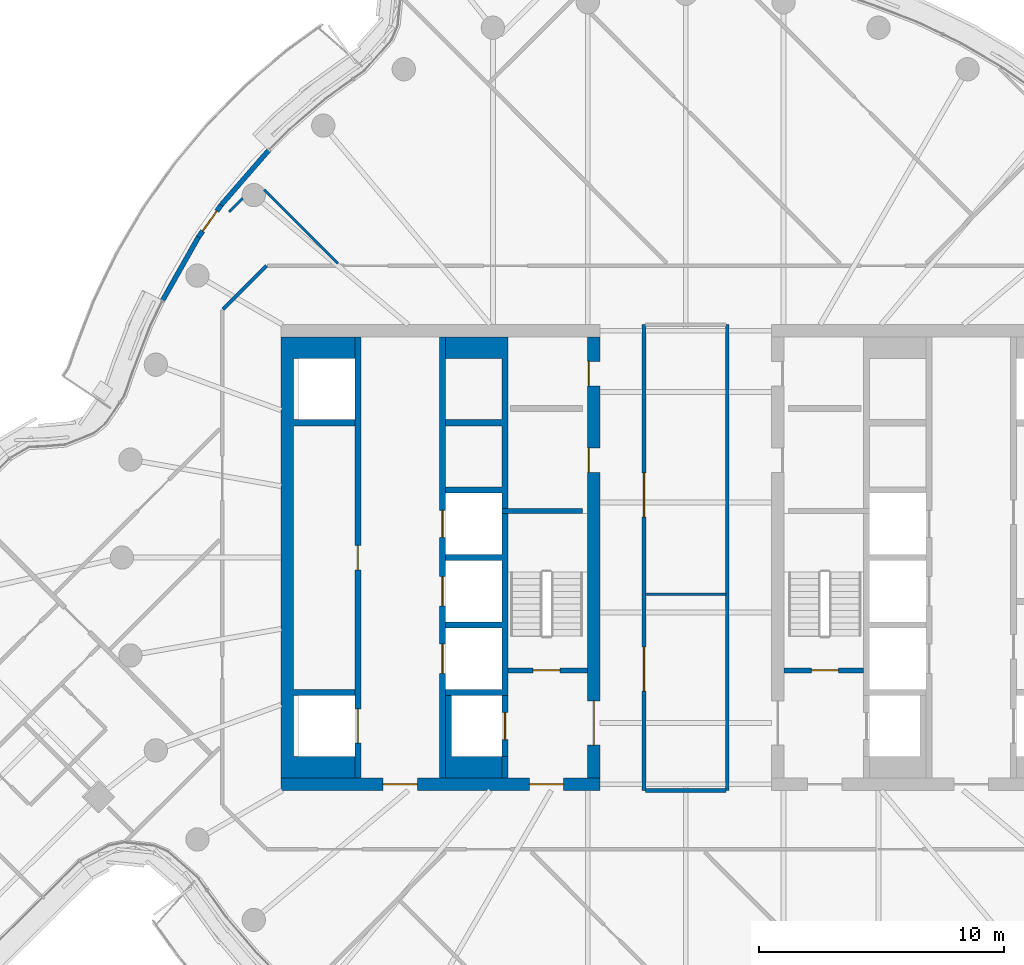
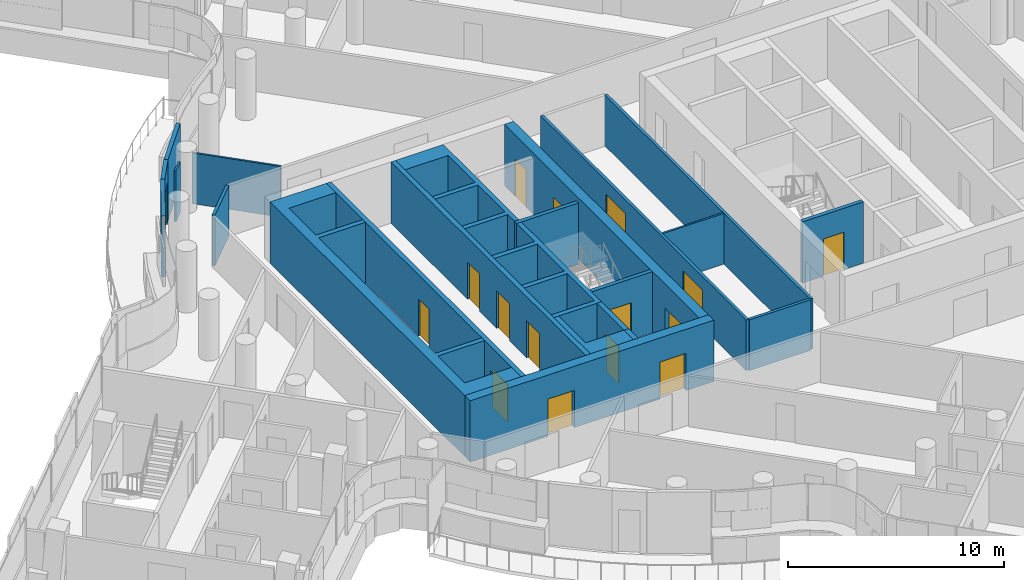
# One storey, part 20 of 31: 22 walls, 16 doors, 16 openings.
"""IFC4 building model written with IfcOpenShell, lengths in metres."""

from ifc_helpers import new_model, si_unit, direction, frame, frame_2d, origin, place, context, subcontext, project, spatial, polyline, rectangle, outline, extrude, material, layer, layer_set, type_object, element, fill, save


model = new_model("IFC4")

# Units and contexts
model_context = context("Model", 3, precision=1e-05, world=origin(), true_north=direction((0.0, 1.0)))
body_context = subcontext(model_context, "Body", "Model", "MODEL_VIEW")
ifc_project = project(units=[si_unit("LENGTHUNIT", "METRE"), si_unit("AREAUNIT", "SQUARE_METRE"), si_unit("VOLUMEUNIT", "CUBIC_METRE"), si_unit("PLANEANGLEUNIT", "RADIAN"), si_unit("MASSUNIT", "GRAM", prefix="KILO")], contexts=[model_context])

# Site, building, storey
site_placement = place(None, origin())
site = spatial("IfcSite", under=ifc_project, at=site_placement, CompositionType="ELEMENT")
building_placement = place(site_placement, origin())
building = spatial("IfcBuilding", under=site, at=building_placement, Name="Tamarind Cross Interchange Tower", CompositionType="ELEMENT")
storey_placement = place(building_placement, frame((0.0, 0.0, 196.89990234375)))
storey = spatial("IfcBuildingStorey", under=building, at=storey_placement, Name="L49", CompositionType="ELEMENT", Elevation=196.89990234375)

# Walls
ifc_material_1 = material(Name="Concrete C40", Category="concrete")
ifc_layer_1 = layer(ifc_material_1, 0.199951171875)
ifc_layer_set_1 = layer_set([ifc_layer_1], Name="Concrete C40")
wall_type_1 = type_object("IfcWallType", Name="Balcony and garden door wall", PredefinedType="SOLIDWALL", material=ifc_layer_set_1)
wall_1_placement = place(storey_placement, frame((-17.010986328125, 16.611083984375, 0.0), z_axis=(0.0, 0.0, 1.0), x_axis=(-0.65596013701, -0.754795534336, 0.0)))
element("IfcWall", 1, at=wall_1_placement, inside=storey, type_object=wall_type_1, Name="EXW-L49-06-D02L", PredefinedType="SOLIDWALL", context=body_context, shape_type="SweptSolid", body=[
    extrude(rectangle(XDim=2.959228515625, YDim=0.199951171875, at=frame_2d((1.4794921875, 0.0))), origin(), (0.0, 0.0, 1.0), 3.460205078125),
])
wall_2_placement = place(storey_placement, frame((-19.876220703125, 13.0712890625, 0.0), z_axis=(0.0, 0.0, 1.0), x_axis=(-0.492589967899, -0.870261525936, 0.0)))
element("IfcWall", 2, at=wall_2_placement, inside=storey, type_object=wall_type_1, Name="EXW-L49-06-D02R", PredefinedType="SOLIDWALL", context=body_context, shape_type="SweptSolid", body=[
    extrude(rectangle(XDim=2.95947265625, YDim=0.199951171875, at=frame_2d((1.479736328125, 0.0))), origin(), (0.0, 0.0, 1.0), 3.460205078125),
])

# Wall, opening, door
wall_3_placement = place(storey_placement, frame((-18.9521484375, 14.37744140625, 0.0), z_axis=(0.0, 0.0, 1.0), x_axis=(-0.57755153974, -0.816354223939, 0.0)))
wall_3 = element("IfcWall", 3, at=wall_3_placement, inside=storey, type_object=wall_type_1, Name="EXW-L49-06-D02", PredefinedType="SOLIDWALL", context=body_context, shape_type="SweptSolid", body=[
    extrude(rectangle(XDim=1.60009765625, YDim=0.199951171875, at=frame_2d((0.800048828125, 0.0))), origin(), (0.0, 0.0, 1.0), 3.460205078125),
])
opening_1_placement = place(wall_3_placement, frame((0.300048828125, 0.0, 0.0)))
opening_1 = element("IfcOpeningElement", 4, at=opening_1_placement, cuts=wall_3, Name="Opening D2", PredefinedType="OPENING", context=body_context, shape_type="SweptSolid", body=[
    extrude(rectangle(XDim=1.0, YDim=2.39990234375, at=frame_2d((0.5, 1.199951171875))), frame((0.0, 0.10986328125, 0.0), z_axis=(0.0, -1.0, 0.0), x_axis=(1.0, 0.0, 0.0)), (0.0, 0.0, 1.0), 0.219970703125),
])
ifc_material_2 = material(Name="Aluminium and toughened glass", Category="aluminium")
door_type_1 = type_object("IfcDoorType", Name="Balcony and garden door", OperationType="SINGLE_SWING_LEFT", PredefinedType="DOOR", material=ifc_material_2)
door_1_placement = place(opening_1_placement, origin())
door_1 = element("IfcDoor", 5, at=door_1_placement, inside=storey, type_object=door_type_1, Name="DOR-L49-06-02", OperationType="SINGLE_SWING_LEFT", OverallHeight=2.39990234375, OverallWidth=1.0, PredefinedType="DOOR", context=body_context, shape_type="SweptSolid", body=[
    extrude(rectangle(XDim=1.0, YDim=2.39990234375, at=frame_2d((0.5, 1.199951171875))), frame((0.0, 0.02490234375, 0.0), z_axis=(0.0, -1.0, 0.0), x_axis=(1.0, 0.0, 0.0)), (0.0, 0.0, 1.0), 0.050048828125),
])
fill(opening_1, door_1)

# Wall, openings, doors
ifc_material_3 = material(Name="Concrete C55", Category="concrete")
ifc_layer_2 = layer(ifc_material_3, 0.5)
ifc_layer_set_2 = layer_set([ifc_layer_2], Name="Concrete C55")
wall_type_2 = type_object("IfcWallType", Name="Core wall 500 mm Concrete C55", PredefinedType="SHEAR", material=ifc_layer_set_2)
wall_4_placement = place(storey_placement, frame((-16.5, -9.25, 0.0), z_axis=(0.0, 0.0, 1.0), x_axis=(1.0, 0.0, 0.0)))
wall_4 = element("IfcWall", 6, at=wall_4_placement, inside=storey, type_object=wall_type_2, Name="Core wall CWL-L49-W-S", PredefinedType="SHEAR", context=body_context, shape_type="SweptSolid", body=[
    extrude(rectangle(XDim=13.0, YDim=0.5, at=frame_2d((6.5, 0.0))), origin(), (0.0, 0.0, 1.0), 3.460205078125),
])
opening_2_placement = place(wall_4_placement, frame((4.14990234375, 0.0, 0.0)))
opening_2 = element("IfcOpeningElement", 7, at=opening_2_placement, cuts=wall_4, Name="Opening DCW1", PredefinedType="OPENING", context=body_context, shape_type="SweptSolid", body=[
    extrude(rectangle(XDim=1.39990234375, YDim=2.10009765625, at=frame_2d((0.699951171875, 1.050048828125))), frame((0.0, 0.260009765625, 0.0), z_axis=(0.0, -1.0, 0.0), x_axis=(1.0, 0.0, 0.0)), (0.0, 0.0, 1.0), 0.52001953125),
])
opening_3_placement = place(wall_4_placement, frame((10.125, 0.0, 0.0)))
opening_3 = element("IfcOpeningElement", 8, at=opening_3_placement, cuts=wall_4, Name="Opening DCWF", PredefinedType="OPENING", context=body_context, shape_type="SweptSolid", body=[
    extrude(rectangle(XDim=1.39990234375, YDim=2.10009765625, at=frame_2d((0.699951171875, 1.050048828125))), frame((0.0, 0.260009765625, 0.0), z_axis=(0.0, -1.0, 0.0), x_axis=(1.0, 0.0, 0.0)), (0.0, 0.0, 1.0), 0.52001953125),
])
ifc_material_4 = material(Name="Steel, fire-resisting", Category="steel")
door_type_2 = type_object("IfcDoorType", Name="Core fire door 1400 x 2100 FD90", OperationType="SINGLE_SWING_LEFT", PredefinedType="DOOR", material=ifc_material_4)
door_2_placement = place(opening_2_placement, origin())
door_2 = element("IfcDoor", 9, at=door_2_placement, inside=storey, type_object=door_type_2, Name="L49 lift lobby door", OperationType="SINGLE_SWING_LEFT", OverallHeight=2.10009765625, OverallWidth=1.39990234375, PredefinedType="DOOR", context=body_context, shape_type="SweptSolid", body=[
    extrude(rectangle(XDim=1.39990234375, YDim=2.10009765625, at=frame_2d((0.699951171875, 1.050048828125))), frame((0.0, 0.02490234375, 0.0), z_axis=(0.0, -1.0, 0.0), x_axis=(1.0, 0.0, 0.0)), (0.0, 0.0, 1.0), 0.050048828125),
])
fill(opening_2, door_2)
door_3_placement = place(opening_3_placement, origin())
door_3 = element("IfcDoor", 10, at=door_3_placement, inside=storey, type_object=door_type_2, Name="L49 firefighting lobby end door", OperationType="SINGLE_SWING_LEFT", OverallHeight=2.10009765625, OverallWidth=1.39990234375, PredefinedType="DOOR", context=body_context, shape_type="SweptSolid", body=[
    extrude(rectangle(XDim=1.39990234375, YDim=2.10009765625, at=frame_2d((0.699951171875, 1.050048828125))), frame((0.0, 0.02490234375, 0.0), z_axis=(0.0, -1.0, 0.0), x_axis=(1.0, 0.0, 0.0)), (0.0, 0.0, 1.0), 0.050048828125),
])
fill(opening_3, door_3)

# Wall
wall_5_placement = place(storey_placement, origin())
element("IfcWall", 11, at=wall_5_placement, inside=storey, type_object=wall_type_2, Name="Core wall CWL-L49-W-A", PredefinedType="SHEAR", context=body_context, shape_type="SweptSolid", body=[
    extrude(outline(polyline([(-13.5, -8.125), (-16.0, -8.125), (-16.0, -5.625), (-13.5, -5.625), (-13.5, -5.375), (-16.0, -5.375), (-16.0, 5.375), (-13.5, 5.375), (-13.5, 5.625), (-16.0, 5.625), (-16.0, 8.125), (-13.5, 8.125), (-13.5, 9.0), (-16.0, 9.0), (-16.5, 9.0), (-16.5, -9.0), (-16.0, -9.0), (-13.5, -9.0), (-13.5, -8.125)])), origin(), (0.0, 0.0, 1.0), 3.460205078125),
])

# Wall, openings, doors
wall_6_placement = place(storey_placement, frame((-3.75, -9.0, 0.0), z_axis=(0.0, 0.0, 1.0), x_axis=(0.0, 1.0, 0.0)))
wall_6 = element("IfcWall", 12, at=wall_6_placement, inside=storey, type_object=wall_type_2, Name="Core wall CWL-L49-W-IN", PredefinedType="SHEAR", context=body_context, shape_type="SweptSolid", body=[
    extrude(rectangle(XDim=18.0, YDim=0.5, at=frame_2d((9.0, 0.0))), origin(), (0.0, 0.0, 1.0), 3.460205078125),
])
opening_4_placement = place(wall_6_placement, frame((1.35009765625, 0.0, 0.0)))
opening_4 = element("IfcOpeningElement", 13, at=opening_4_placement, cuts=wall_6, Name="Opening DCW4", PredefinedType="OPENING", context=body_context, shape_type="SweptSolid", body=[
    extrude(rectangle(XDim=1.800048828125, YDim=2.10009765625, at=frame_2d((0.89990234375, 1.050048828125))), frame((0.0, 0.260009765625, 0.0), z_axis=(0.0, -1.0, 0.0), x_axis=(1.0, 0.0, 0.0)), (0.0, 0.0, 1.0), 0.52001953125),
])
opening_5_placement = place(wall_6_placement, frame((12.4775390625, 0.0, 0.0)))
opening_5 = element("IfcOpeningElement", 14, at=opening_5_placement, cuts=wall_6, Name="Opening DCW5", PredefinedType="OPENING", context=body_context, shape_type="SweptSolid", body=[
    extrude(rectangle(XDim=1.0, YDim=2.10009765625, at=frame_2d((0.5, 1.050048828125))), frame((0.0, 0.260009765625, 0.0), z_axis=(0.0, -1.0, 0.0), x_axis=(1.0, 0.0, 0.0)), (0.0, 0.0, 1.0), 0.52001953125),
])
opening_6_placement = place(wall_6_placement, frame((16.00244140625, 0.0, 0.0)))
opening_6 = element("IfcOpeningElement", 15, at=opening_6_placement, cuts=wall_6, Name="Opening DCW5", PredefinedType="OPENING", context=body_context, shape_type="SweptSolid", body=[
    extrude(rectangle(XDim=1.0, YDim=2.10009765625, at=frame_2d((0.5, 1.050048828125))), frame((0.0, 0.260009765625, 0.0), z_axis=(0.0, -1.0, 0.0), x_axis=(1.0, 0.0, 0.0)), (0.0, 0.0, 1.0), 0.52001953125),
])
door_type_3 = type_object("IfcDoorType", Name="Core fire door 1000 x 2100 FD90", OperationType="SINGLE_SWING_LEFT", PredefinedType="DOOR", material=ifc_material_4)
door_4_placement = place(opening_5_placement, origin())
door_4 = element("IfcDoor", 16, at=door_4_placement, inside=storey, type_object=door_type_3, Name="L49 housekeeping pantry door", OperationType="SINGLE_SWING_LEFT", OverallHeight=2.10009765625, OverallWidth=1.0, PredefinedType="DOOR", context=body_context, shape_type="SweptSolid", body=[
    extrude(rectangle(XDim=1.0, YDim=2.10009765625, at=frame_2d((0.5, 1.050048828125))), frame((0.0, 0.22509765625, 0.0), z_axis=(0.0, -1.0, 0.0), x_axis=(1.0, 0.0, 0.0)), (0.0, 0.0, 1.0), 0.050048828125),
])
fill(opening_5, door_4)
door_5_placement = place(opening_6_placement, origin())
door_5 = element("IfcDoor", 17, at=door_5_placement, inside=storey, type_object=door_type_3, Name="L49 linen press door", OperationType="SINGLE_SWING_LEFT", OverallHeight=2.10009765625, OverallWidth=1.0, PredefinedType="DOOR", context=body_context, shape_type="SweptSolid", body=[
    extrude(rectangle(XDim=1.0, YDim=2.10009765625, at=frame_2d((0.5, 1.050048828125))), frame((0.0, 0.22509765625, 0.0), z_axis=(0.0, -1.0, 0.0), x_axis=(1.0, 0.0, 0.0)), (0.0, 0.0, 1.0), 0.050048828125),
])
fill(opening_6, door_5)
door_type_4 = type_object("IfcDoorType", Name="Core fire door 1800 x 2100 FD90", OperationType="SINGLE_SWING_LEFT", PredefinedType="DOOR", material=ifc_material_4)
door_6_placement = place(opening_4_placement, origin())
door_6 = element("IfcDoor", 18, at=door_6_placement, inside=storey, type_object=door_type_4, Name="L49 firefighting lobby door", OperationType="SINGLE_SWING_LEFT", OverallHeight=2.10009765625, OverallWidth=1.800048828125, PredefinedType="DOOR", context=body_context, shape_type="SweptSolid", body=[
    extrude(rectangle(XDim=1.800048828125, YDim=2.10009765625, at=frame_2d((0.89990234375, 1.050048828125))), frame((0.0, 0.02490234375, 0.0), z_axis=(0.0, -1.0, 0.0), x_axis=(1.0, 0.0, 0.0)), (0.0, 0.0, 1.0), 0.050048828125),
])
fill(opening_4, door_6)

# Walls
ifc_layer_3 = layer(ifc_material_3, 0.199951171875)
ifc_layer_set_3 = layer_set([ifc_layer_3], Name="Concrete C55")
wall_type_3 = type_object("IfcWallType", Name="Core web wall 200 mm Concrete C55", PredefinedType="SHEAR", material=ifc_layer_set_3)
wall_7_placement = place(storey_placement, frame((-7.5, 1.89990234375, 0.0), z_axis=(0.0, 0.0, 1.0), x_axis=(1.0, 0.0, 0.0)))
element("IfcWall", 19, at=wall_7_placement, inside=storey, type_object=wall_type_3, Name="Core wall CWL-L49-W-BD", PredefinedType="SHEAR", context=body_context, shape_type="SweptSolid", body=[
    extrude(rectangle(XDim=3.300048828125, YDim=0.199951171875, at=frame_2d((1.64990234375, 0.0))), origin(), (0.0, 0.0, 1.0), 3.460205078125),
])
ifc_layer_4 = layer(ifc_material_3, 0.25)
ifc_layer_set_4 = layer_set([ifc_layer_4], Name="Concrete C55")
wall_type_4 = type_object("IfcWallType", Name="Core web wall 250 mm Concrete C55", PredefinedType="SHEAR", material=ifc_layer_set_4)
wall_8_placement = place(storey_placement, origin())
element("IfcWall", 20, at=wall_8_placement, inside=storey, type_object=wall_type_4, Name="Core wall CWL-L49-W-BN", PredefinedType="SHEAR", context=body_context, shape_type="SweptSolid", body=[
    extrude(outline(polyline([(-9.800048828125, -5.375), (-9.800048828125, -5.625), (-7.5, -5.625), (-7.25, -5.625), (-7.25, 9.0), (-7.5, 9.0), (-9.800048828125, 9.0), (-9.800048828125, 8.125), (-7.5, 8.125), (-7.5, 5.625), (-9.800048828125, 5.625), (-9.800048828125, 5.375), (-7.5, 5.375), (-7.5, 2.875), (-9.800048828125, 2.875), (-9.800048828125, 2.625), (-7.5, 2.625), (-7.5, 0.125), (-9.800048828125, 0.125), (-9.800048828125, -0.125), (-7.5, -0.125), (-7.5, -2.625), (-9.800048828125, -2.625), (-9.800048828125, -2.875), (-7.5, -2.875), (-7.5, -5.375), (-9.800048828125, -5.375)])), origin(), (0.0, 0.0, 1.0), 3.460205078125),
])
wall_9_placement = place(storey_placement, origin())
element("IfcWall", 21, at=wall_9_placement, inside=storey, type_object=wall_type_4, Name="Core wall CWL-L49-W-BS", PredefinedType="SHEAR", context=body_context, shape_type="SweptSolid", body=[
    extrude(outline(polyline([(-7.5, -8.125), (-9.550048828125, -8.125), (-9.550048828125, -5.625), (-9.800048828125, -5.625), (-9.800048828125, -8.125), (-9.800048828125, -9.0), (-7.5, -9.0), (-7.5, -8.125)])), origin(), (0.0, 0.0, 1.0), 3.460205078125),
])
wall_10_placement = place(storey_placement, frame((-7.375, -9.0, 0.0), z_axis=(0.0, 0.0, 1.0), x_axis=(0.0, 1.0, 0.0)))
element("IfcWall", 22, at=wall_10_placement, inside=storey, type_object=wall_type_4, Name="Core wall CWL-L49-W-BW", PredefinedType="SHEAR", context=body_context, shape_type="SweptSolid", body=[
    extrude(rectangle(XDim=0.875, YDim=0.25, at=frame_2d((0.4375, 0.0))), origin(), (0.0, 0.0, 1.0), 3.460205078125),
])

# Wall, openings, doors
wall_11_placement = place(storey_placement, frame((-13.375, -9.0, 0.0), z_axis=(0.0, 0.0, 1.0), x_axis=(0.0, 1.0, 0.0)))
wall_11 = element("IfcWall", 23, at=wall_11_placement, inside=storey, type_object=wall_type_4, Name="Core wall CWL-L49-W-LA", PredefinedType="SHEAR", context=body_context, shape_type="SweptSolid", body=[
    extrude(rectangle(XDim=18.0, YDim=0.25, at=frame_2d((9.0, 0.0))), origin(), (0.0, 0.0, 1.0), 3.460205078125),
])
opening_7_placement = place(wall_11_placement, frame((1.425048828125, 0.0, 0.0)))
opening_7 = element("IfcOpeningElement", 24, at=opening_7_placement, cuts=wall_11, Name="Opening LD1L49", PredefinedType="OPENING", context=body_context, shape_type="SweptSolid", body=[
    extrude(rectangle(XDim=1.39990234375, YDim=2.10009765625, at=frame_2d((0.699951171875, 1.050048828125))), frame((0.0, 0.135009765625, 0.0), z_axis=(0.0, -1.0, 0.0), x_axis=(1.0, 0.0, 0.0)), (0.0, 0.0, 1.0), 0.27001953125),
])
opening_8_placement = place(wall_11_placement, frame((8.5, 0.0, 0.0)))
opening_8 = element("IfcOpeningElement", 25, at=opening_8_placement, cuts=wall_11, Name="Opening DCW9", PredefinedType="OPENING", context=body_context, shape_type="SweptSolid", body=[
    extrude(rectangle(XDim=1.0, YDim=2.10009765625, at=frame_2d((0.5, 1.050048828125))), frame((0.0, 0.135009765625, 0.0), z_axis=(0.0, -1.0, 0.0), x_axis=(1.0, 0.0, 0.0)), (0.0, 0.0, 1.0), 0.27001953125),
])
door_7_placement = place(opening_8_placement, origin())
door_7 = element("IfcDoor", 26, at=door_7_placement, inside=storey, type_object=door_type_3, Name="L49 Linen press door", OperationType="SINGLE_SWING_LEFT", OverallHeight=2.10009765625, OverallWidth=1.0, PredefinedType="DOOR", context=body_context, shape_type="SweptSolid", body=[
    extrude(rectangle(XDim=1.0, YDim=2.10009765625, at=frame_2d((0.5, 1.050048828125))), frame((0.0, 0.02490234375, 0.0), z_axis=(0.0, -1.0, 0.0), x_axis=(1.0, 0.0, 0.0)), (0.0, 0.0, 1.0), 0.050048828125),
])
fill(opening_8, door_7)
ifc_material_5 = material(Name="Stainless steel panel", Category="steel")
door_type_5 = type_object("IfcDoorType", Name="Lift landing door 1400 x 2100 E 120", OperationType="SLIDING_TO_LEFT", PredefinedType="DOOR", material=ifc_material_5)
door_8_placement = place(opening_7_placement, origin())
door_8 = element("IfcDoor", 27, at=door_8_placement, inside=storey, type_object=door_type_5, Name="L49 landing door LF1", OperationType="SLIDING_TO_LEFT", OverallHeight=2.10009765625, OverallWidth=1.39990234375, PredefinedType="DOOR", context=body_context, shape_type="SweptSolid", body=[
    extrude(rectangle(XDim=1.39990234375, YDim=2.10009765625, at=frame_2d((0.699951171875, 1.050048828125))), frame((0.0, 0.02490234375, 0.0), z_axis=(0.0, -1.0, 0.0), x_axis=(1.0, 0.0, 0.0)), (0.0, 0.0, 1.0), 0.050048828125),
])
fill(opening_7, door_8)

wall_12_placement = place(storey_placement, frame((-9.925048828125, -9.0, 0.0), z_axis=(0.0, 0.0, 1.0), x_axis=(0.0, 1.0, 0.0)))
wall_12 = element("IfcWall", 28, at=wall_12_placement, inside=storey, type_object=wall_type_4, Name="Core wall CWL-L49-W-LB", PredefinedType="SHEAR", context=body_context, shape_type="SweptSolid", body=[
    extrude(rectangle(XDim=18.0, YDim=0.25, at=frame_2d((9.0, 0.0))), origin(), (0.0, 0.0, 1.0), 3.460205078125),
])
opening_9_placement = place(wall_12_placement, frame((4.27490234375, 0.0, 0.0)))
opening_9 = element("IfcOpeningElement", 29, at=opening_9_placement, cuts=wall_12, Name="Opening LD8L49", PredefinedType="OPENING", context=body_context, shape_type="SweptSolid", body=[
    extrude(rectangle(XDim=1.199951171875, YDim=2.10009765625, at=frame_2d((0.60009765625, 1.050048828125))), frame((0.0, 0.135009765625, 0.0), z_axis=(0.0, -1.0, 0.0), x_axis=(1.0, 0.0, 0.0)), (0.0, 0.0, 1.0), 0.27001953125),
])
opening_10_placement = place(wall_12_placement, frame((7.02490234375, 0.0, 0.0)))
opening_10 = element("IfcOpeningElement", 30, at=opening_10_placement, cuts=wall_12, Name="Opening LD9L49", PredefinedType="OPENING", context=body_context, shape_type="SweptSolid", body=[
    extrude(rectangle(XDim=1.199951171875, YDim=2.10009765625, at=frame_2d((0.60009765625, 1.050048828125))), frame((0.0, 0.135009765625, 0.0), z_axis=(0.0, -1.0, 0.0), x_axis=(1.0, 0.0, 0.0)), (0.0, 0.0, 1.0), 0.27001953125),
])
opening_11_placement = place(wall_12_placement, frame((9.824951171875, 0.0, 0.0)))
opening_11 = element("IfcOpeningElement", 31, at=opening_11_placement, cuts=wall_12, Name="Opening LD10L49", PredefinedType="OPENING", context=body_context, shape_type="SweptSolid", body=[
    extrude(rectangle(XDim=1.10009765625, YDim=2.10009765625, at=frame_2d((0.550048828125, 1.050048828125))), frame((0.0, 0.135009765625, 0.0), z_axis=(0.0, -1.0, 0.0), x_axis=(1.0, 0.0, 0.0)), (0.0, 0.0, 1.0), 0.27001953125),
])
door_type_6 = type_object("IfcDoorType", Name="Lift landing door 1100 x 2100 E 120", OperationType="SLIDING_TO_LEFT", PredefinedType="DOOR", material=ifc_material_5)
door_9_placement = place(opening_11_placement, origin())
door_9 = element("IfcDoor", 32, at=door_9_placement, inside=storey, type_object=door_type_6, Name="L49 landing door LF10", OperationType="SLIDING_TO_LEFT", OverallHeight=2.10009765625, OverallWidth=1.10009765625, PredefinedType="DOOR", context=body_context, shape_type="SweptSolid", body=[
    extrude(rectangle(XDim=1.10009765625, YDim=2.10009765625, at=frame_2d((0.550048828125, 1.050048828125))), frame((0.0, 0.02490234375, 0.0), z_axis=(0.0, -1.0, 0.0), x_axis=(1.0, 0.0, 0.0)), (0.0, 0.0, 1.0), 0.050048828125),
])
fill(opening_11, door_9)
door_type_7 = type_object("IfcDoorType", Name="Lift landing door 1200 x 2100 E 120", OperationType="SLIDING_TO_LEFT", PredefinedType="DOOR", material=ifc_material_5)
door_10_placement = place(opening_9_placement, origin())
door_10 = element("IfcDoor", 33, at=door_10_placement, inside=storey, type_object=door_type_7, Name="L49 landing door LF8", OperationType="SLIDING_TO_LEFT", OverallHeight=2.10009765625, OverallWidth=1.199951171875, PredefinedType="DOOR", context=body_context, shape_type="SweptSolid", body=[
    extrude(rectangle(XDim=1.199951171875, YDim=2.10009765625, at=frame_2d((0.60009765625, 1.050048828125))), frame((0.0, 0.02490234375, 0.0), z_axis=(0.0, -1.0, 0.0), x_axis=(1.0, 0.0, 0.0)), (0.0, 0.0, 1.0), 0.050048828125),
])
fill(opening_9, door_10)
door_11_placement = place(opening_10_placement, origin())
door_11 = element("IfcDoor", 34, at=door_11_placement, inside=storey, type_object=door_type_7, Name="L49 landing door LF9", OperationType="SLIDING_TO_LEFT", OverallHeight=2.10009765625, OverallWidth=1.199951171875, PredefinedType="DOOR", context=body_context, shape_type="SweptSolid", body=[
    extrude(rectangle(XDim=1.199951171875, YDim=2.10009765625, at=frame_2d((0.60009765625, 1.050048828125))), frame((0.0, 0.02490234375, 0.0), z_axis=(0.0, -1.0, 0.0), x_axis=(1.0, 0.0, 0.0)), (0.0, 0.0, 1.0), 0.050048828125),
])
fill(opening_10, door_11)

# Wall, opening, door
wall_13_placement = place(storey_placement, frame((-7.375, -8.125, 0.0), z_axis=(0.0, 0.0, 1.0), x_axis=(0.0, 1.0, 0.0)))
wall_13 = element("IfcWall", 35, at=wall_13_placement, inside=storey, type_object=wall_type_4, Name="Core wall CWL-L49-W-FF", PredefinedType="SHEAR", context=body_context, shape_type="SweptSolid", body=[
    extrude(rectangle(XDim=2.5, YDim=0.25, at=frame_2d((1.25, 0.0))), origin(), (0.0, 0.0, 1.0), 3.460205078125),
])
opening_12_placement = place(wall_13_placement, frame((0.699951171875, 0.0, 0.0)))
opening_12 = element("IfcOpeningElement", 36, at=opening_12_placement, cuts=wall_13, Name="Opening LD7L49", PredefinedType="OPENING", context=body_context, shape_type="SweptSolid", body=[
    extrude(rectangle(XDim=1.10009765625, YDim=2.10009765625, at=frame_2d((0.550048828125, 1.050048828125))), frame((0.0, 0.135009765625, 0.0), z_axis=(0.0, -1.0, 0.0), x_axis=(1.0, 0.0, 0.0)), (0.0, 0.0, 1.0), 0.27001953125),
])
door_12_placement = place(opening_12_placement, origin())
door_12 = element("IfcDoor", 37, at=door_12_placement, inside=storey, type_object=door_type_6, Name="L49 landing door LF7", OperationType="SLIDING_TO_LEFT", OverallHeight=2.10009765625, OverallWidth=1.10009765625, PredefinedType="DOOR", context=body_context, shape_type="SweptSolid", body=[
    extrude(rectangle(XDim=1.10009765625, YDim=2.10009765625, at=frame_2d((0.550048828125, 1.050048828125))), frame((0.0, 0.02490234375, 0.0), z_axis=(0.0, -1.0, 0.0), x_axis=(1.0, 0.0, 0.0)), (0.0, 0.0, 1.0), 0.050048828125),
])
fill(opening_12, door_12)

# Walls
ifc_material_6 = material(Name="Gypsum board partition on steel studs", Category="steel")
ifc_layer_5 = layer(ifc_material_6, 0.10009765625)
ifc_layer_set_5 = layer_set([ifc_layer_5], Name="Gypsum board partition on steel studs")
wall_type_5 = type_object("IfcWallType", Name="Partition 100 mm EI 120", PredefinedType="PARTITIONING", material=ifc_layer_set_5)
wall_14_placement = place(storey_placement, frame((-1.639892578125, -1.5, 0.0), z_axis=(0.0, 0.0, 1.0), x_axis=(1.0, 0.0, 0.0)))
element("IfcWall", 38, at=wall_14_placement, inside=storey, type_object=wall_type_5, Name="Partition L49-037", PredefinedType="PARTITIONING", context=body_context, shape_type="SweptSolid", body=[
    extrude(rectangle(XDim=3.27978515625, YDim=0.10009765625, at=frame_2d((1.639892578125, 0.0))), origin(), (0.0, 0.0, 1.0), 2.864013671875),
])
ifc_layer_6 = layer(ifc_material_6, 0.10009765625)
ifc_layer_set_6 = layer_set([ifc_layer_6], Name="Gypsum board partition on steel studs")
wall_type_6 = type_object("IfcWallType", Name="Partition 100 mm EI 90", PredefinedType="PARTITIONING", material=ifc_layer_set_6)
wall_15_placement = place(storey_placement, frame((-17.193359375, 15.005615234375, 0.0), z_axis=(0.0, 0.0, 1.0), x_axis=(0.706159706794, -0.708052588796, 0.0)))
element("IfcWall", 39, at=wall_15_placement, inside=storey, type_object=wall_type_6, Name="Partition L49-012", PredefinedType="PARTITIONING", context=body_context, shape_type="SweptSolid", body=[
    extrude(rectangle(XDim=4.25634765625, YDim=0.10009765625, at=frame_2d((2.128173828125, 0.0))), origin(), (0.0, 0.0, 1.0), 2.864013671875),
])
wall_16_placement = place(storey_placement, frame((-18.6201171875, 14.105712890625, 0.0), z_axis=(0.0, 0.0, 1.0), x_axis=(0.708047707123, 0.706164601519, 0.0)))
element("IfcWall", 40, at=wall_16_placement, inside=storey, type_object=wall_type_6, Name="Partition L49-055", PredefinedType="PARTITIONING", context=body_context, shape_type="SweptSolid", body=[
    extrude(rectangle(XDim=0.77783203125, YDim=0.10009765625, at=frame_2d((0.388916015625, 0.0))), origin(), (0.0, 0.0, 1.0), 2.864013671875),
])
ifc_layer_7 = layer(ifc_material_6, 0.14990234375)
ifc_layer_set_7 = layer_set([ifc_layer_7], Name="Gypsum board partition on steel studs")
wall_type_7 = type_object("IfcWallType", Name="Partition 150 mm EI 120", PredefinedType="PARTITIONING", material=ifc_layer_set_7)
wall_17_placement = place(storey_placement, frame((-1.639892578125, -9.5, 0.0), z_axis=(0.0, 0.0, 1.0), x_axis=(1.0, 0.0, 0.0)))
element("IfcWall", 41, at=wall_17_placement, inside=storey, type_object=wall_type_7, Name="Partition L49-036", PredefinedType="PARTITIONING", context=body_context, shape_type="SweptSolid", body=[
    extrude(rectangle(XDim=3.27978515625, YDim=0.14990234375, at=frame_2d((1.639892578125, 0.0))), origin(), (0.0, 0.0, 1.0), 2.864013671875),
])
wall_18_placement = place(storey_placement, frame((-18.87158203125, 10.12841796875, 0.0), z_axis=(0.0, 0.0, 1.0), x_axis=(0.707106781187, 0.707106781187, 0.0)))
element("IfcWall", 42, at=wall_18_placement, inside=storey, type_object=wall_type_7, Name="Partition L49-056", PredefinedType="PARTITIONING", context=body_context, shape_type="SweptSolid", body=[
    extrude(rectangle(XDim=2.50537109375, YDim=0.14990234375, at=frame_2d((1.252685546875, 0.0))), origin(), (0.0, 0.0, 1.0), 2.864013671875),
])

# Wall, openings, doors
wall_19_placement = place(storey_placement, frame((-1.699951171875, -9.5, 0.0), z_axis=(0.0, 0.0, 1.0), x_axis=(0.0, 1.0, 0.0)))
wall_19 = element("IfcWall", 43, at=wall_19_placement, inside=storey, type_object=wall_type_7, Name="Partition L49-078", PredefinedType="PARTITIONING", context=body_context, shape_type="SweptSolid", body=[
    extrude(rectangle(XDim=19.0, YDim=0.14990234375, at=frame_2d((9.5, 0.0))), origin(), (0.0, 0.0, 1.0), 2.864013671875),
])
opening_13_placement = place(wall_19_placement, frame((4.050048828125, 0.0, 0.0)))
opening_13 = element("IfcOpeningElement", 44, at=opening_13_placement, cuts=wall_19, Name="Opening D43", PredefinedType="OPENING", context=body_context, shape_type="SweptSolid", body=[
    extrude(rectangle(XDim=1.800048828125, YDim=2.10009765625, at=frame_2d((0.89990234375, 1.050048828125))), frame((0.0, 0.0849609375, 0.0), z_axis=(0.0, -1.0, 0.0), x_axis=(1.0, 0.0, 0.0)), (0.0, 0.0, 1.0), 0.169921875),
])
opening_14_placement = place(wall_19_placement, frame((11.14990234375, 0.0, 0.0)))
opening_14 = element("IfcOpeningElement", 45, at=opening_14_placement, cuts=wall_19, Name="Opening D44", PredefinedType="OPENING", context=body_context, shape_type="SweptSolid", body=[
    extrude(rectangle(XDim=1.800048828125, YDim=2.10009765625, at=frame_2d((0.89990234375, 1.050048828125))), frame((0.0, 0.0849609375, 0.0), z_axis=(0.0, -1.0, 0.0), x_axis=(1.0, 0.0, 0.0)), (0.0, 0.0, 1.0), 0.169921875),
])
ifc_material_7 = material(Name="Fire-resisting door set")
door_type_8 = type_object("IfcDoorType", Name="Interior door 1800 x 2100 FD60S", OperationType="DOUBLE_DOOR_SINGLE_SWING", PredefinedType="DOOR", material=ifc_material_7)
door_13_placement = place(opening_13_placement, frame((1.800048828125, 0.0, 0.0), z_axis=(0.0, 0.0, 1.0), x_axis=(-1.0, 0.0, 0.0)))
door_13 = element("IfcDoor", 46, at=door_13_placement, inside=storey, type_object=door_type_8, Name="Door D43", OperationType="DOUBLE_DOOR_SINGLE_SWING", OverallHeight=2.10009765625, OverallWidth=1.800048828125, PredefinedType="DOOR", context=body_context, shape_type="SweptSolid", body=[
    extrude(rectangle(XDim=1.800048828125, YDim=2.10009765625, at=frame_2d((0.89990234375, 1.050048828125))), frame((0.0, 0.02490234375, 0.0), z_axis=(0.0, -1.0, 0.0), x_axis=(1.0, 0.0, 0.0)), (0.0, 0.0, 1.0), 0.050048828125),
])
fill(opening_13, door_13)
door_14_placement = place(opening_14_placement, frame((1.800048828125, 0.0, 0.0), z_axis=(0.0, 0.0, 1.0), x_axis=(-1.0, 0.0, 0.0)))
door_14 = element("IfcDoor", 47, at=door_14_placement, inside=storey, type_object=door_type_8, Name="Door D44", OperationType="DOUBLE_DOOR_SINGLE_SWING", OverallHeight=2.10009765625, OverallWidth=1.800048828125, PredefinedType="DOOR", context=body_context, shape_type="SweptSolid", body=[
    extrude(rectangle(XDim=1.800048828125, YDim=2.10009765625, at=frame_2d((0.89990234375, 1.050048828125))), frame((0.0, 0.02490234375, 0.0), z_axis=(0.0, -1.0, 0.0), x_axis=(1.0, 0.0, 0.0)), (0.0, 0.0, 1.0), 0.050048828125),
])
fill(opening_14, door_14)

# Wall
wall_20_placement = place(storey_placement, frame((1.699951171875, -9.5, 0.0), z_axis=(0.0, 0.0, 1.0), x_axis=(0.0, 1.0, 0.0)))
element("IfcWall", 48, at=wall_20_placement, inside=storey, type_object=wall_type_7, Name="Partition L49-079", PredefinedType="PARTITIONING", context=body_context, shape_type="SweptSolid", body=[
    extrude(rectangle(XDim=19.0, YDim=0.14990234375, at=frame_2d((9.5, 0.0))), origin(), (0.0, 0.0, 1.0), 2.864013671875),
])

# Wall, opening, door
ifc_layer_8 = layer(ifc_material_1, 0.199951171875)
ifc_layer_set_8 = layer_set([ifc_layer_8], Name="Concrete C40")
wall_type_8 = type_object("IfcWallType", Name="Stair shaft wall 200 mm Concrete C40", PredefinedType="SHEAR", material=ifc_layer_set_8)
wall_21_placement = place(storey_placement, frame((-7.25, -4.60009765625, 0.0), z_axis=(0.0, 0.0, 1.0), x_axis=(1.0, 0.0, 0.0)))
wall_21 = element("IfcWall", 49, at=wall_21_placement, inside=storey, type_object=wall_type_8, Name="Core wall CWL-L49-W-SD", PredefinedType="SHEAR", context=body_context, shape_type="SweptSolid", body=[
    extrude(rectangle(XDim=3.25, YDim=0.199951171875, at=frame_2d((1.625, 0.0))), origin(), (0.0, 0.0, 1.0), 3.460205078125),
])
opening_15_placement = place(wall_21_placement, frame((1.02490234375, 0.0, 0.0)))
opening_15 = element("IfcOpeningElement", 50, at=opening_15_placement, cuts=wall_21, Name="Opening DCW6", PredefinedType="OPENING", context=body_context, shape_type="SweptSolid", body=[
    extrude(rectangle(XDim=1.10009765625, YDim=2.10009765625, at=frame_2d((0.550048828125, 1.050048828125))), frame((0.0, 0.10986328125, 0.0), z_axis=(0.0, -1.0, 0.0), x_axis=(1.0, 0.0, 0.0)), (0.0, 0.0, 1.0), 0.219970703125),
])
door_type_9 = type_object("IfcDoorType", Name="Core fire door 1100 x 2100 FD90", OperationType="SINGLE_SWING_LEFT", PredefinedType="DOOR", material=ifc_material_4)
door_15_placement = place(opening_15_placement, origin())
door_15 = element("IfcDoor", 51, at=door_15_placement, inside=storey, type_object=door_type_9, Name="L49 stair door", OperationType="SINGLE_SWING_LEFT", OverallHeight=2.10009765625, OverallWidth=1.10009765625, PredefinedType="DOOR", context=body_context, shape_type="SweptSolid", body=[
    extrude(rectangle(XDim=1.10009765625, YDim=2.10009765625, at=frame_2d((0.550048828125, 1.050048828125))), frame((0.0, 0.02490234375, 0.0), z_axis=(0.0, -1.0, 0.0), x_axis=(1.0, 0.0, 0.0)), (0.0, 0.0, 1.0), 0.050048828125),
])
fill(opening_15, door_15)

wall_22_placement = place(storey_placement, frame((7.25, -4.60009765625, 0.0), z_axis=(0.0, 0.0, 1.0), x_axis=(-1.0, 0.0, 0.0)))
wall_22 = element("IfcWall", 52, at=wall_22_placement, inside=storey, type_object=wall_type_8, Name="Core wall CWL-L49-E-SD", PredefinedType="SHEAR", context=body_context, shape_type="SweptSolid", body=[
    extrude(rectangle(XDim=3.25, YDim=0.199951171875, at=frame_2d((1.625, 0.0))), origin(), (0.0, 0.0, 1.0), 3.460205078125),
])
opening_16_placement = place(wall_22_placement, frame((1.02490234375, 0.0, 0.0)))
opening_16 = element("IfcOpeningElement", 53, at=opening_16_placement, cuts=wall_22, Name="Opening DCE6", PredefinedType="OPENING", context=body_context, shape_type="SweptSolid", body=[
    extrude(rectangle(XDim=1.10009765625, YDim=2.10009765625, at=frame_2d((0.550048828125, 1.050048828125))), frame((0.0, 0.10986328125, 0.0), z_axis=(0.0, -1.0, 0.0), x_axis=(1.0, 0.0, 0.0)), (0.0, 0.0, 1.0), 0.219970703125),
])
door_16_placement = place(opening_16_placement, origin())
door_16 = element("IfcDoor", 54, at=door_16_placement, inside=storey, type_object=door_type_9, Name="L49 stair door", OperationType="SINGLE_SWING_LEFT", OverallHeight=2.10009765625, OverallWidth=1.10009765625, PredefinedType="DOOR", context=body_context, shape_type="SweptSolid", body=[
    extrude(rectangle(XDim=1.10009765625, YDim=2.10009765625, at=frame_2d((0.550048828125, 1.050048828125))), frame((0.0, 0.02490234375, 0.0), z_axis=(0.0, -1.0, 0.0), x_axis=(1.0, 0.0, 0.0)), (0.0, 0.0, 1.0), 0.050048828125),
])
fill(opening_16, door_16)

save(model, "model.ifc")
